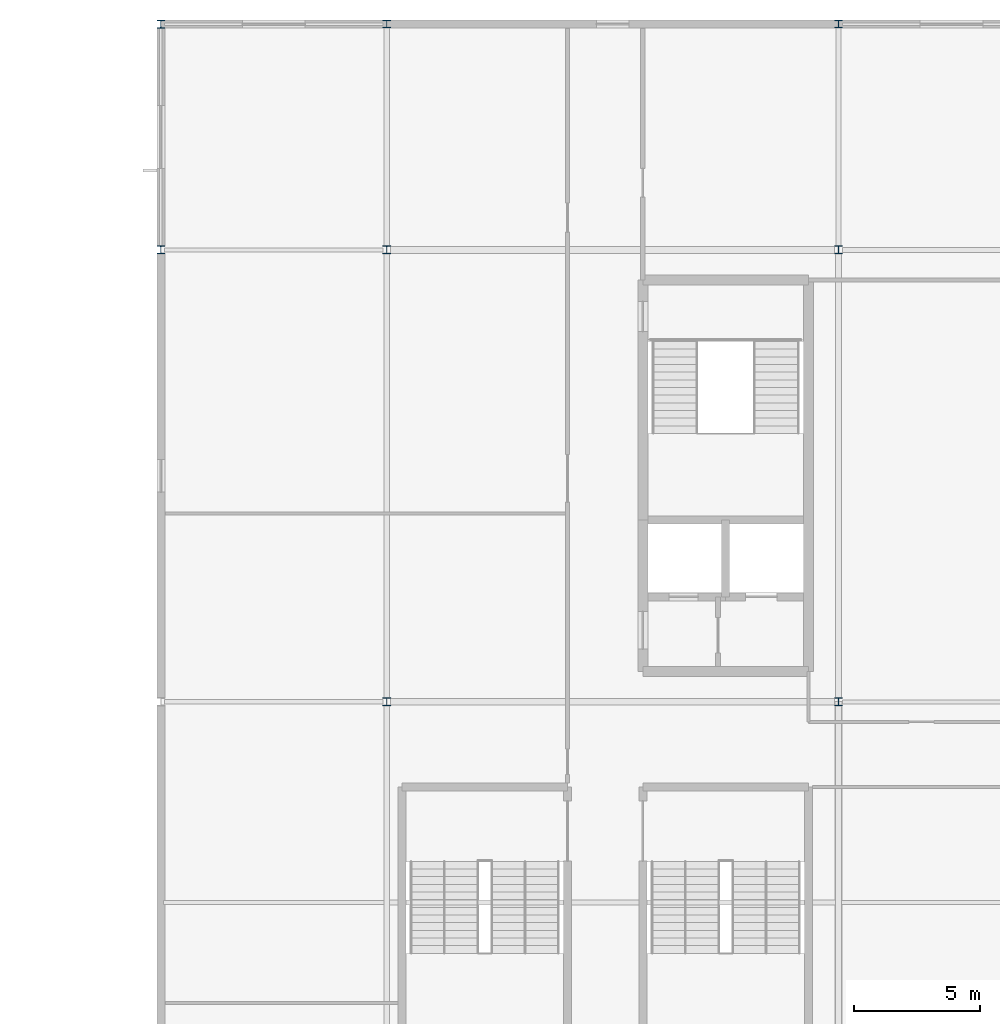
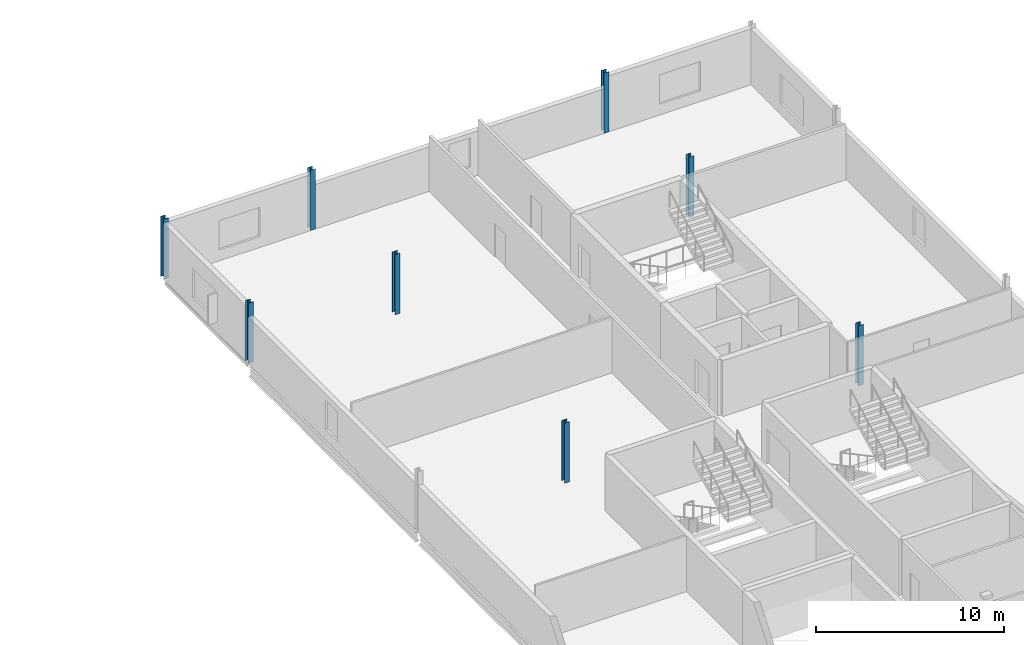
# One storey, part 10 of 31: 8 columns.
"""IFC4 building model written with IfcOpenShell, lengths in metres."""

from ifc_helpers import new_model, si_unit, direction, frame, origin, origin_2d, place, context, subcontext, project, spatial, i_section, extrude, material, material_profile, profile_set, type_object, element, save


model = new_model("IFC4")

# Units and contexts
model_context = context("Model", 3, precision=1e-05, world=origin(), true_north=direction((0.0, 1.0)))
body_context = subcontext(model_context, "Body", "Model", "MODEL_VIEW")
ifc_project = project(units=[si_unit("LENGTHUNIT", "METRE"), si_unit("AREAUNIT", "SQUARE_METRE"), si_unit("VOLUMEUNIT", "CUBIC_METRE"), si_unit("PLANEANGLEUNIT", "RADIAN"), si_unit("MASSUNIT", "GRAM", prefix="KILO")], contexts=[model_context])

# Site, building, storey
site_placement = place(None, origin())
site = spatial("IfcSite", under=ifc_project, at=site_placement, CompositionType="ELEMENT")
building_placement = place(site_placement, origin())
building = spatial("IfcBuilding", under=site, at=building_placement, Name="Kisiwana Market Hall", CompositionType="ELEMENT")
storey_placement = place(building_placement, frame((0.0, 0.0, 45.60009765625)))
storey = spatial("IfcBuildingStorey", under=building, at=storey_placement, Name="L10", CompositionType="ELEMENT", Elevation=45.60009765625)

# Columns
ifc_material_1 = material(Name="Steel S355", Category="steel")
ifc_material_profile_1 = material_profile(ifc_material_1, i_section(OverallWidth=0.300048828125, OverallDepth=0.320068359375, WebThickness=0.011474609375, FlangeThickness=0.0205078125, FilletRadius=0.027099609375, at=origin_2d()), Name="HEB 320")
ifc_profile_set_1 = profile_set([ifc_material_profile_1], Name="Steel S355")
column_type_1 = type_object("IfcColumnType", Name="COL-STL-HEB320", PredefinedType="COLUMN", material=ifc_profile_set_1)
for number, where, z_axis, x_axis, name in (
    (1, (162.0, 102.0, 0.0), (0.0, 0.0, 1.0), (1.0, 0.0, 0.0), "Column N/19 (L10) C-1296"),
    (2, (162.0, 111.0, 0.0), (0.0, 0.0, 1.0), (1.0, 0.0, 0.0), "Column P/19 (L10) C-1297"),
):
    element("IfcColumn", number, at=place(storey_placement, frame(where, z_axis=z_axis, x_axis=x_axis)), inside=storey, type_object=column_type_1, Name=name, PredefinedType="COLUMN", context=body_context, shape_type="SweptSolid", body=[
        extrude(i_section(OverallWidth=0.300048828125, OverallDepth=0.320068359375, WebThickness=0.011474609375, FlangeThickness=0.0205078125, FilletRadius=0.027099609375, at=origin_2d()), origin(), (0.0, 0.0, 1.0), 3.89990234375),
    ])
ifc_material_2 = material(Name="Steel S355", Category="steel")
ifc_material_profile_2 = material_profile(ifc_material_2, i_section(OverallWidth=0.307373046875, OverallDepth=0.314453125, WebThickness=0.011962890625, FlangeThickness=0.018798828125, FilletRadius=0.01513671875, at=origin_2d()), Name="UC 305x305x118")
ifc_profile_set_2 = profile_set([ifc_material_profile_2], Name="Steel S355")
column_type_2 = type_object("IfcColumnType", Name="COL-STL-UC118", PredefinedType="COLUMN", material=ifc_profile_set_2)
for number, where, z_axis, x_axis, name in (
    (3, (171.0, 84.0, 0.0), (0.0, 0.0, 1.0), (1.0, 0.0, 0.0), "Column L/20 (L10) C-1302"),
    (4, (171.0, 102.0, 0.0), (0.0, 0.0, 1.0), (1.0, 0.0, 0.0), "Column N/20 (L10) C-1303"),
    (5, (171.0, 111.0, 0.0), (0.0, 0.0, 1.0), (1.0, 0.0, 0.0), "Column P/20 (L10) C-1304"),
    (6, (189.0, 84.0, 0.0), (0.0, 0.0, 1.0), (1.0, 0.0, 0.0), "Column L/22 (L10) C-1308"),
    (7, (189.0, 102.0, 0.0), (0.0, 0.0, 1.0), (1.0, 0.0, 0.0), "Column N/22 (L10) C-1309"),
    (8, (189.0, 111.0, 0.0), (0.0, 0.0, 1.0), (1.0, 0.0, 0.0), "Column P/22 (L10) C-1310"),
):
    element("IfcColumn", number, at=place(storey_placement, frame(where, z_axis=z_axis, x_axis=x_axis)), inside=storey, type_object=column_type_2, Name=name, PredefinedType="COLUMN", context=body_context, shape_type="SweptSolid", body=[
        extrude(i_section(OverallWidth=0.307373046875, OverallDepth=0.314453125, WebThickness=0.011962890625, FlangeThickness=0.018798828125, FilletRadius=0.01513671875, at=origin_2d()), origin(), (0.0, 0.0, 1.0), 3.89990234375),
    ])

save(model, "model.ifc")
